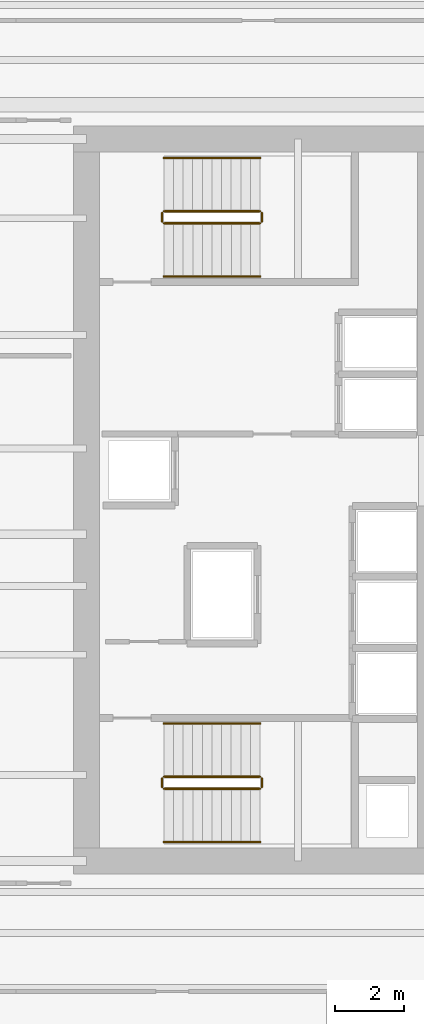
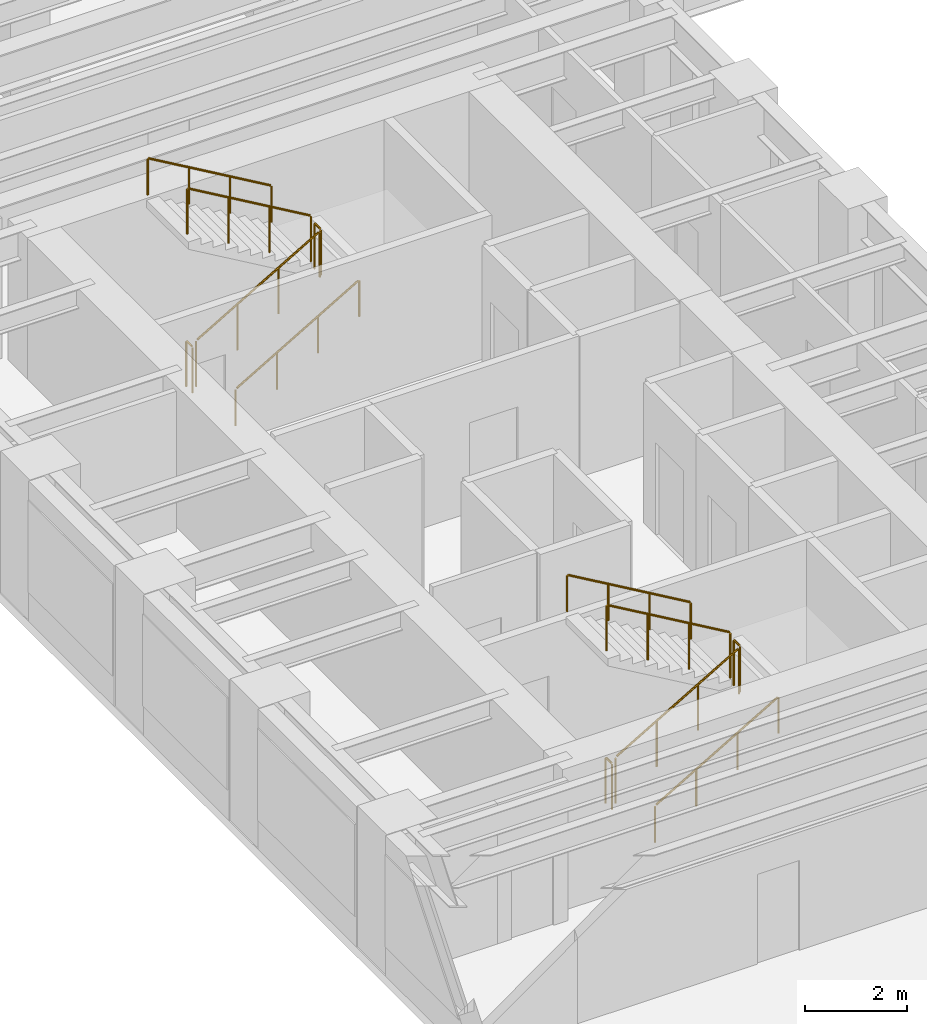
# One storey, part 13 of 14: 12 railings.
"""IFC4 building model written with IfcOpenShell, lengths in metres."""

import ifcopenshell
import ifcopenshell.guid

model = None  # the IFC model being written
_history = None  # IfcOwnerHistory: only IFC2X3 demands one
_inside = {}  # id of a spatial element -> (the spatial element, [elements in it])
_under = {}  # id of a project, library or spatial element -> (it, [spatial elements below it])
_declared = {}  # id of a project -> (the project, [libraries it declares])
_typed = {}  # id of a type object -> (the type object, [elements of that type])
_made_of = {}  # id of a material, layer set ... -> (it, [elements and type objects made of it])


def new_model(schema):
    """Start an empty IFC model of exactly this schema.

    Asked for "IFC4X3", IfcOpenShell would pick the latest addendum, in which some entities
    have other attributes; the version numbers below select the first issue.
    IFC2X3 requires an IfcOwnerHistory on every rooted entity: one is made here for all.
    """
    global model, _history
    if schema == "IFC4X3":
        model = ifcopenshell.file(schema_version=(4, 3, 0, 0))
    else:
        model = ifcopenshell.file(schema=schema)
    _inside.clear()
    _under.clear()
    _declared.clear()
    _typed.clear()
    _made_of.clear()
    _history = None
    if model.schema == "IFC2X3":
        org = make("IfcOrganization", Name="unknown")
        user = make(
            "IfcPersonAndOrganization",
            ThePerson=make("IfcPerson", FamilyName="unknown"),
            TheOrganization=org,
        )
        app = make(
            "IfcApplication",
            ApplicationDeveloper=org,
            Version="unknown",
            ApplicationFullName="unknown",
            ApplicationIdentifier="unknown",
        )
        _history = make(
            "IfcOwnerHistory",
            OwningUser=user,
            OwningApplication=app,
            ChangeAction="ADDED",
            CreationDate=0,
        )
    return model


def make(cls, **values):
    """One entity of the class cls with the attributes given. An attribute that is None is left unset."""
    return model.create_entity(
        cls, **{name: value for name, value in values.items() if value is not None}
    )


def rooted(cls, **values):
    """An entity with a GlobalId (a new one), such as an element, a storey or a relation."""
    return make(cls, GlobalId=ifcopenshell.guid.new(), OwnerHistory=_history, **values)


def si_unit(unit_type, name, prefix=None):
    """IfcSIUnit, for example si_unit("LENGTHUNIT", "METRE", prefix="MILLI")."""
    return make("IfcSIUnit", UnitType=unit_type, Prefix=prefix, Name=name)


def assignment(units):
    """IfcUnitAssignment: the units of a project."""
    return None if units is None else make("IfcUnitAssignment", Units=units)


def point(xyz):
    """IfcCartesianPoint."""
    return None if xyz is None else make("IfcCartesianPoint", Coordinates=xyz)


def direction(xyz):
    """IfcDirection."""
    return None if xyz is None else make("IfcDirection", DirectionRatios=xyz)


def frame(location, z_axis=None, x_axis=None):
    """IfcAxis2Placement3D, a coordinate frame: its origin and axes. An axis left out is left unset."""
    return make(
        "IfcAxis2Placement3D",
        Location=point(location),
        Axis=direction(z_axis),
        RefDirection=direction(x_axis),
    )


def frame_2d(location, x_axis=None):
    """IfcAxis2Placement2D, a coordinate frame in the plane: its origin and x axis."""
    return make(
        "IfcAxis2Placement2D", Location=point(location), RefDirection=direction(x_axis)
    )


def origin():
    """The frame at (0, 0, 0) with its axes left unset."""
    return frame((0.0, 0.0, 0.0))


def origin_2d():
    """The frame at (0, 0) in the plane with its x axis left unset."""
    return frame_2d((0.0, 0.0))


def place(relative_to, where):
    """IfcLocalPlacement: puts the frame where relative to a parent placement (None: the world)."""
    return make(
        "IfcLocalPlacement", PlacementRelTo=relative_to, RelativePlacement=where
    )


def context(
    kind, dimensions, precision=None, world=None, true_north=None, identifier=None
):
    """IfcGeometricRepresentationContext, for example the 3D "Model" context."""
    return make(
        "IfcGeometricRepresentationContext",
        ContextIdentifier=identifier,
        ContextType=kind,
        CoordinateSpaceDimension=dimensions,
        Precision=precision,
        WorldCoordinateSystem=world,
        TrueNorth=true_north,
    )


def subcontext(parent, identifier, kind, view, scale=None):
    """IfcGeometricRepresentationSubContext, for example "Body" below "Model"."""
    return make(
        "IfcGeometricRepresentationSubContext",
        ContextIdentifier=identifier,
        ContextType=kind,
        ParentContext=parent,
        TargetScale=scale,
        TargetView=view,
    )


def project(units=None, contexts=None):
    """IfcProject with its units and contexts."""
    return rooted(
        "IfcProject",
        Name="project",
        RepresentationContexts=contexts,
        UnitsInContext=assignment(units),
    )


def spatial(cls, under=None, at=None, **own):
    """A site, building, storey or space (cls), placed at a placement, below another one or the project."""
    s = rooted(cls, ObjectPlacement=at, **own)
    if under is not None:
        _under.setdefault(under.id(), (under, []))[1].append(s)
    return s


def profile(cls, at=None, kind="AREA", **sizes):
    """A parametric profile (cls). Its sizes go by their IFC names, for example OverallWidth=200.0."""
    return make(cls, ProfileType=kind, Position=at, **sizes)


def circle(**sizes):
    """IfcCircleProfileDef."""
    return profile("IfcCircleProfileDef", **sizes)


def extrude(swept, where, along, depth):
    """IfcExtrudedAreaSolid: the profile swept, set in the frame where, extruded along a direction by depth."""
    return make(
        "IfcExtrudedAreaSolid",
        SweptArea=swept,
        Position=where,
        ExtrudedDirection=direction(along),
        Depth=depth,
    )


def shape(context_of_items, identifier, shape_type, items):
    """IfcShapeRepresentation: the items that make up one representation, for example the "Body"."""
    return make(
        "IfcShapeRepresentation",
        ContextOfItems=context_of_items,
        RepresentationIdentifier=identifier,
        RepresentationType=shape_type,
        Items=items,
    )


def source(mapping_origin, context_of_items, identifier, shape_type, items):
    """IfcRepresentationMap: a shape defined once, which mapped items show again and again."""
    return make(
        "IfcRepresentationMap",
        MappingOrigin=mapping_origin,
        MappedRepresentation=shape(context_of_items, identifier, shape_type, items),
    )


def transform(
    local_origin,
    x_axis=None,
    y_axis=None,
    z_axis=None,
    scale=None,
    scale2=None,
    scale3=None,
    uniform=True,
):
    """IfcCartesianTransformationOperator3D, or its non-uniform kind. x_axis, y_axis, z_axis: its Axis1, 2, 3."""
    if uniform:
        return make(
            "IfcCartesianTransformationOperator3D",
            Axis1=direction(x_axis),
            Axis2=direction(y_axis),
            LocalOrigin=point(local_origin),
            Scale=scale,
            Axis3=direction(z_axis),
        )
    return make(
        "IfcCartesianTransformationOperator3DnonUniform",
        Axis1=direction(x_axis),
        Axis2=direction(y_axis),
        LocalOrigin=point(local_origin),
        Scale=scale,
        Axis3=direction(z_axis),
        Scale2=scale2,
        Scale3=scale3,
    )


def mapped(mapping_source, mapping_target):
    """IfcMappedItem: shows the shape of a source again, moved by a transform."""
    return make(
        "IfcMappedItem", MappingSource=mapping_source, MappingTarget=mapping_target
    )


def material(Name=None, Category=None):
    """IfcMaterial."""
    return make("IfcMaterial", Name=Name, Category=Category)


def layer(
    of_material, thickness, ventilated=None, Name=None, Category=None, Priority=None
):
    """IfcMaterialLayer: one layer of a wall or slab, of a material (None: an air gap)."""
    return make(
        "IfcMaterialLayer",
        Material=of_material,
        LayerThickness=thickness,
        IsVentilated=ventilated,
        Name=Name,
        Category=Category,
        Priority=Priority,
    )


def layer_set(layers, Name=None):
    """IfcMaterialLayerSet."""
    return make("IfcMaterialLayerSet", MaterialLayers=layers, LayerSetName=Name)


def made_of(thing, what):
    """Note that an element or type object is made of a material, layer set ...; save() writes the relation."""
    if what is not None:
        _made_of.setdefault(what.id(), (what, []))[1].append(thing)
    return thing


def type_object(cls, material=None, **own):
    """A type object (cls), such as IfcWallType, which elements share."""
    return made_of(rooted(cls, **own), material)


def element(
    cls,
    number,
    at=None,
    inside=None,
    cuts=None,
    type_object=None,
    material=None,
    context=None,
    identifier="Body",
    shape_type=None,
    held_by="IfcProductDefinitionShape",
    body=None,
    shapes=None,
    **own,
):
    """One element of the class cls, such as IfcWall. Its Tag is "e" and its number.

    at: its placement. inside: the storey or other place that contains it. cuts: it is an
    opening in that element (IfcRelVoidsElement). A single representation is given by context,
    identifier, shape_type and body (its items); several are given by shapes. held_by: the class
    of the entity that holds the representations. save() writes the other relations.
    """
    e = rooted(cls, Tag="e%d" % number, ObjectPlacement=at, **own)
    if body is not None:
        shapes = [shape(context, identifier, shape_type, body)]
    if shapes is not None:
        e.Representation = make(held_by, Representations=shapes)
    if inside is not None:
        _inside.setdefault(inside.id(), (inside, []))[1].append(e)
    if cuts is not None:
        rooted(
            "IfcRelVoidsElement", RelatingBuildingElement=cuts, RelatedOpeningElement=e
        )
    if type_object is not None:
        _typed.setdefault(type_object.id(), (type_object, []))[1].append(e)
    return made_of(e, material)


def aggregate(whole, parts):
    """IfcRelAggregates: a whole, such as a stair, and the parts it consists of."""
    return rooted("IfcRelAggregates", RelatingObject=whole, RelatedObjects=parts)


def save(model, path):
    """Write the relations noted so far, then the file.

    IfcRelAggregates (storeys below a building ...), IfcRelContainedInSpatialStructure (elements
    in a storey), IfcRelDefinesByType, IfcRelAssociatesMaterial and IfcRelDeclares: one each for
    every whole, place, type object, material and project.
    """
    for whole, parts in _under.values():
        aggregate(whole, parts)
    for where, things in _inside.values():
        rooted(
            "IfcRelContainedInSpatialStructure",
            RelatedElements=things,
            RelatingStructure=where,
        )
    for kind, things in _typed.values():
        rooted("IfcRelDefinesByType", RelatedObjects=things, RelatingType=kind)
    for what, things in _made_of.values():
        rooted("IfcRelAssociatesMaterial", RelatedObjects=things, RelatingMaterial=what)
    for by, libraries in _declared.values():
        rooted("IfcRelDeclares", RelatingContext=by, RelatedDefinitions=libraries)
    model.write(path)


model = new_model("IFC4")

# Units and contexts
model_context = context("Model", 3, precision=1e-05, world=origin(), true_north=direction((0.0, 1.0)))
body_context = subcontext(model_context, "Body", "Model", "MODEL_VIEW")
ifc_project = project(units=[si_unit("LENGTHUNIT", "METRE"), si_unit("AREAUNIT", "SQUARE_METRE"), si_unit("VOLUMEUNIT", "CUBIC_METRE"), si_unit("PLANEANGLEUNIT", "RADIAN"), si_unit("MASSUNIT", "GRAM", prefix="KILO")], contexts=[model_context])

# Site, building, storey
site_placement = place(None, origin())
site = spatial("IfcSite", under=ifc_project, at=site_placement, CompositionType="ELEMENT")
building_placement = place(site_placement, origin())
building = spatial("IfcBuilding", under=site, at=building_placement, Name="Kharzan Plaza Tower", CompositionType="ELEMENT")
storey_placement = place(building_placement, frame((0.0, 0.0, 124.199951171875)))
storey = spatial("IfcBuildingStorey", under=building, at=storey_placement, Name="L33", CompositionType="ELEMENT", Elevation=124.199951171875)

# Railings
ifc_material_1 = material(Name="Painted Galvanized Architectural Steel", Category="steel")
ifc_layer_1 = layer(ifc_material_1, 0.074951171875)
ifc_layer_set_1 = layer_set([ifc_layer_1], Name="Painted Galvanized Architectural Steel")
railing_type_1 = type_object("IfcRailingType", Name="RL-GUARD-1120", PredefinedType="BALUSTRADE", material=ifc_layer_set_1)
shared_shape_1 = source(origin(), body_context, "Body", "SweptSolid", [
    extrude(circle(Radius=0.02392578125, at=origin_2d()), frame((0.0, 0.0263671875, 1.09619140625), z_axis=(0.0, 1.0, 0.0), x_axis=(-1.0, 0.0, 0.0)), (0.0, 0.0, 1.0), 0.197021484375),
    extrude(circle(Radius=0.02099609375, at=origin_2d()), origin(), (0.0, 0.0, 1.0), 1.072021484375),
    extrude(circle(Radius=0.02099609375, at=origin_2d()), frame((0.0, 0.25, 0.0)), (0.0, 0.0, 1.0), 1.072021484375),
])
for number, where, name in (
    (1, (9.60009765625, 10.64990234375, 1.800048828125), "L33 ST-1 stair guard 2"),
    (2, (6.699951171875, 10.64990234375, 0.0), "L33 ST-1 stair guard 4"),
    (3, (9.60009765625, 27.10009765625, 1.800048828125), "L33 ST-2 stair guard 2"),
    (4, (6.699951171875, 27.10009765625, 0.0), "L33 ST-2 stair guard 4"),
):
    element("IfcRailing", number, at=place(storey_placement, frame(where)), inside=storey, type_object=railing_type_1, Name=name, PredefinedType="BALUSTRADE", context=body_context, shape_type="MappedRepresentation", body=[
        mapped(shared_shape_1, transform((0.0, 0.0, 0.0), x_axis=(1.0, 0.0, 0.0), y_axis=(0.0, 1.0, 0.0), z_axis=(0.0, 0.0, 1.0))),
    ])
shared_shape_2 = source(origin(), body_context, "Body", "SweptSolid", [
    extrude(circle(Radius=0.02392578125, at=origin_2d()), frame((0.02294921875, 0.0, 1.109375), z_axis=(0.863360870873, 0.0, 0.504586966384), x_axis=(0.0, 1.0, 0.0)), (0.0, 0.0, 1.0), 3.190185546875),
    extrude(circle(Radius=0.02099609375, at=origin_2d()), origin(), (0.0, 0.0, 1.0), 1.072021484375),
    extrude(circle(Radius=0.02099609375, at=origin_2d()), frame((0.933349609375, 0.0, 0.54541015625)), (0.0, 0.0, 1.0), 1.072021484375),
    extrude(circle(Radius=0.02099609375, at=origin_2d()), frame((1.86669921875, 0.0, 1.091064453125)), (0.0, 0.0, 1.0), 1.072021484375),
    extrude(circle(Radius=0.02099609375, at=origin_2d()), frame((2.800048828125, 0.0, 1.636474609375)), (0.0, 0.0, 1.0), 1.072021484375),
])
for number, where, name in (
    (5, (6.75, 10.60009765625, 0.16357421875), "L33 ST-1 stair guard 1"),
    (6, (6.75, 27.050048828125, 0.16357421875), "L33 ST-2 stair guard 1"),
):
    element("IfcRailing", number, at=place(storey_placement, frame(where)), inside=storey, type_object=railing_type_1, Name=name, PredefinedType="BALUSTRADE", context=body_context, shape_type="MappedRepresentation", body=[
        mapped(shared_shape_2, transform((0.0, 0.0, 0.0), x_axis=(1.0, 0.0, 0.0), y_axis=(0.0, 1.0, 0.0), z_axis=(0.0, 0.0, 1.0))),
    ])
shared_shape_3 = source(origin(), body_context, "Body", "SweptSolid", [
    extrude(circle(Radius=0.02392578125, at=origin_2d()), frame((-0.02294921875, 0.0, 1.109375), z_axis=(-0.863360870873, 0.0, 0.504586966384), x_axis=(0.0, -1.0, 0.0)), (0.0, 0.0, 1.0), 3.190185546875),
    extrude(circle(Radius=0.02099609375, at=origin_2d()), origin(), (0.0, 0.0, 1.0), 1.072021484375),
    extrude(circle(Radius=0.02099609375, at=origin_2d()), frame((-0.933349609375, 0.0, 0.54541015625)), (0.0, 0.0, 1.0), 1.072021484375),
    extrude(circle(Radius=0.02099609375, at=origin_2d()), frame((-1.86669921875, 0.0, 1.091064453125)), (0.0, 0.0, 1.0), 1.072021484375),
    extrude(circle(Radius=0.02099609375, at=origin_2d()), frame((-2.800048828125, 0.0, 1.636474609375)), (0.0, 0.0, 1.0), 1.072021484375),
])
for number, where, name in (
    (7, (9.550048828125, 10.949951171875, 1.963623046875), "L33 ST-1 stair guard 3"),
    (8, (9.550048828125, 27.39990234375, 1.963623046875), "L33 ST-2 stair guard 3"),
):
    element("IfcRailing", number, at=place(storey_placement, frame(where)), inside=storey, type_object=railing_type_1, Name=name, PredefinedType="BALUSTRADE", context=body_context, shape_type="MappedRepresentation", body=[
        mapped(shared_shape_3, transform((0.0, 0.0, 0.0), x_axis=(1.0, 0.0, 0.0), y_axis=(0.0, 1.0, 0.0), z_axis=(0.0, 0.0, 1.0))),
    ])
ifc_material_2 = material(Name="Brushed Stainless Steel", Category="steel")
ifc_layer_2 = layer(ifc_material_2, 0.050048828125)
ifc_layer_set_2 = layer_set([ifc_layer_2], Name="Brushed Stainless Steel")
railing_type_2 = type_object("IfcRailingType", Name="RL-STAIR-HR920", PredefinedType="HANDRAIL", material=ifc_layer_set_2)
shared_shape_4 = source(origin(), body_context, "Body", "SweptSolid", [
    extrude(circle(Radius=0.02392578125, at=origin_2d()), frame((0.02294921875, 0.0, 0.88916015625), z_axis=(0.863360870873, 0.0, 0.504586966384), x_axis=(0.0, 1.0, 0.0)), (0.0, 0.0, 1.0), 3.190185546875),
    extrude(circle(Radius=0.02099609375, at=origin_2d()), origin(), (0.0, 0.0, 1.0), 0.851806640625),
    extrude(circle(Radius=0.02099609375, at=origin_2d()), frame((0.933349609375, 0.0, 0.54541015625)), (0.0, 0.0, 1.0), 0.851806640625),
    extrude(circle(Radius=0.02099609375, at=origin_2d()), frame((1.86669921875, 0.0, 1.091064453125)), (0.0, 0.0, 1.0), 0.851806640625),
    extrude(circle(Radius=0.02099609375, at=origin_2d()), frame((2.800048828125, 0.0, 1.636474609375)), (0.0, 0.0, 1.0), 0.851806640625),
])
for number, where, name in (
    (9, (6.75, 9.050048828125, 0.16357421875), "L33 ST-1 stair handrail 1"),
    (10, (6.75, 25.5, 0.16357421875), "L33 ST-2 stair handrail 1"),
):
    element("IfcRailing", number, at=place(storey_placement, frame(where)), inside=storey, type_object=railing_type_2, Name=name, PredefinedType="HANDRAIL", context=body_context, shape_type="MappedRepresentation", body=[
        mapped(shared_shape_4, transform((0.0, 0.0, 0.0), x_axis=(1.0, 0.0, 0.0), y_axis=(0.0, 1.0, 0.0), z_axis=(0.0, 0.0, 1.0))),
    ])
shared_shape_5 = source(origin(), body_context, "Body", "SweptSolid", [
    extrude(circle(Radius=0.02392578125, at=origin_2d()), frame((-0.02294921875, 0.0, 0.88916015625), z_axis=(-0.863360870873, 0.0, 0.504586966384), x_axis=(0.0, -1.0, 0.0)), (0.0, 0.0, 1.0), 3.190185546875),
    extrude(circle(Radius=0.02099609375, at=origin_2d()), origin(), (0.0, 0.0, 1.0), 0.851806640625),
    extrude(circle(Radius=0.02099609375, at=origin_2d()), frame((-0.933349609375, 0.0, 0.54541015625)), (0.0, 0.0, 1.0), 0.851806640625),
    extrude(circle(Radius=0.02099609375, at=origin_2d()), frame((-1.86669921875, 0.0, 1.091064453125)), (0.0, 0.0, 1.0), 0.851806640625),
    extrude(circle(Radius=0.02099609375, at=origin_2d()), frame((-2.800048828125, 0.0, 1.636474609375)), (0.0, 0.0, 1.0), 0.851806640625),
])
for number, where, name in (
    (11, (9.550048828125, 12.5, 1.963623046875), "L33 ST-1 stair handrail 2"),
    (12, (9.550048828125, 28.949951171875, 1.963623046875), "L33 ST-2 stair handrail 2"),
):
    element("IfcRailing", number, at=place(storey_placement, frame(where)), inside=storey, type_object=railing_type_2, Name=name, PredefinedType="HANDRAIL", context=body_context, shape_type="MappedRepresentation", body=[
        mapped(shared_shape_5, transform((0.0, 0.0, 0.0), x_axis=(1.0, 0.0, 0.0), y_axis=(0.0, 1.0, 0.0), z_axis=(0.0, 0.0, 1.0))),
    ])

save(model, "model.ifc")
